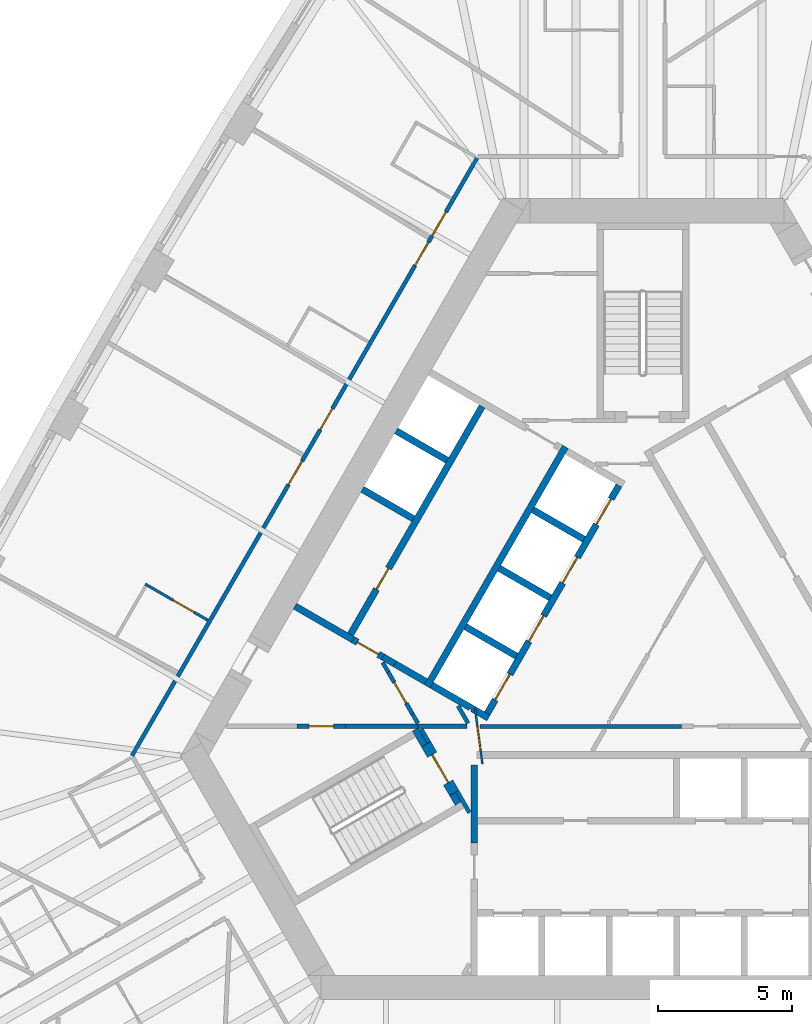
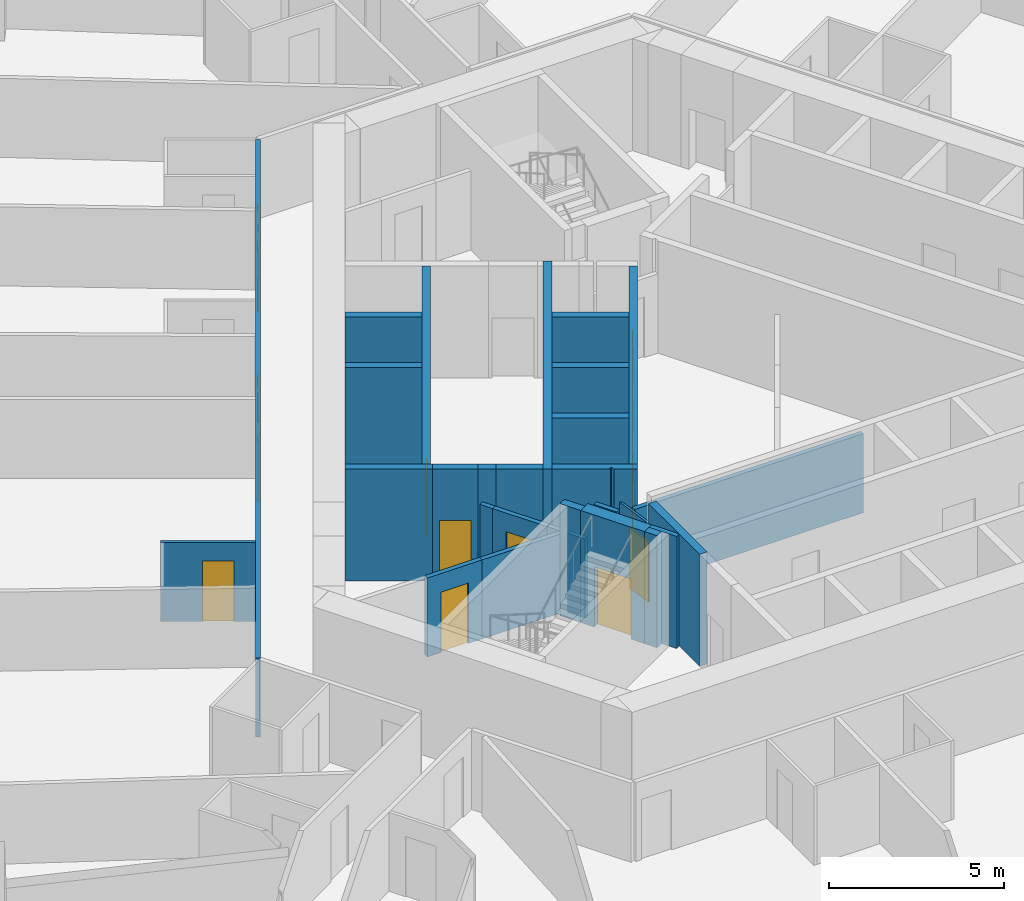
# One storey, part 5 of 13: 30 walls, 15 doors, 15 openings.
"""IFC4 building model written with IfcOpenShell, lengths in metres."""

from ifc_helpers import new_model, si_unit, direction, frame, frame_2d, origin, place, context, subcontext, project, spatial, polyline, rectangle, outline, extrude, material, layer, layer_set, type_object, element, fill, save


model = new_model("IFC4")

# Units and contexts
model_context = context("Model", 3, precision=1e-05, world=origin(), true_north=direction((0.0, 1.0)))
body_context = subcontext(model_context, "Body", "Model", "MODEL_VIEW")
ifc_project = project(units=[si_unit("LENGTHUNIT", "METRE"), si_unit("AREAUNIT", "SQUARE_METRE"), si_unit("VOLUMEUNIT", "CUBIC_METRE"), si_unit("PLANEANGLEUNIT", "RADIAN"), si_unit("MASSUNIT", "GRAM", prefix="KILO")], contexts=[model_context])

# Site, building, storey
site_placement = place(None, origin())
site = spatial("IfcSite", under=ifc_project, at=site_placement, CompositionType="ELEMENT")
building_placement = place(site_placement, origin())
building = spatial("IfcBuilding", under=site, at=building_placement, Name="Mestral Congress Tower", CompositionType="ELEMENT")
storey_placement = place(building_placement, frame((0.0, 0.0, 54.89990234375)))
storey = spatial("IfcBuildingStorey", under=building, at=storey_placement, Name="L12", CompositionType="ELEMENT", Elevation=54.89990234375)

# Walls
ifc_material_1 = material(Name="Fire-rated board partition")
ifc_layer_1 = layer(ifc_material_1, 0.14990234375)
ifc_layer_set_1 = layer_set([ifc_layer_1], Name="Fire-rated board partition")
wall_type_1 = type_object("IfcWallType", Name="Core partition 150", PredefinedType="PARTITIONING", material=ifc_layer_set_1)
wall_1_placement = place(storey_placement, frame((-8.394775390625, -2.800048828125, 0.0), z_axis=(0.0, 0.0, 1.0), x_axis=(1.0, 0.0, 0.0)))
element("IfcWall", 1, at=wall_1_placement, inside=storey, type_object=wall_type_1, Name="L12 core wall", PredefinedType="PARTITIONING", context=body_context, shape_type="SweptSolid", body=[
    extrude(rectangle(XDim=1.828125, YDim=0.14990234375, at=frame_2d((0.9140625, 0.0))), origin(), (0.0, 0.0, 1.0), 2.75),
])
wall_2_placement = place(storey_placement, frame((-11.11474609375, -2.800048828125, 0.0), z_axis=(0.0, 0.0, 1.0), x_axis=(1.0, 0.0, 0.0)))
element("IfcWall", 2, at=wall_2_placement, inside=storey, type_object=wall_type_1, Name="L12 core wall", PredefinedType="PARTITIONING", context=body_context, shape_type="SweptSolid", body=[
    extrude(rectangle(XDim=2.7080078125, YDim=0.14990234375, at=frame_2d((1.35400390625, 0.0))), origin(), (0.0, 0.0, 1.0), 2.75),
])
wall_3_placement = place(storey_placement, frame((-6.53076171875, -2.68896484375, 0.0), z_axis=(0.0, 0.0, 1.0), x_axis=(-0.499967446111, 0.866044197965, 0.0)))
element("IfcWall", 3, at=wall_3_placement, inside=storey, type_object=wall_type_1, Name="L12 core wall", PredefinedType="PARTITIONING", context=body_context, shape_type="SweptSolid", body=[
    extrude(rectangle(XDim=0.74755859375, YDim=0.14990234375, at=frame_2d((0.373779296875, 0.0))), origin(), (0.0, 0.0, 1.0), 2.75),
])
wall_4_placement = place(storey_placement, frame((-7.989990234375, -3.41162109375, 0.0), z_axis=(0.0, 0.0, 1.0), x_axis=(-0.500193841991, 0.86591346013, 0.0)))
element("IfcWall", 4, at=wall_4_placement, inside=storey, type_object=wall_type_1, Name="L12 core wall", PredefinedType="PARTITIONING", context=body_context, shape_type="SweptSolid", body=[
    extrude(rectangle(XDim=0.582763671875, YDim=0.14990234375, at=frame_2d((0.29150390625, 0.0))), origin(), (0.0, 0.0, 1.0), 2.75),
])
wall_5_placement = place(storey_placement, frame((-8.612060546875, -2.33349609375, 0.0), z_axis=(0.0, 0.0, 1.0), x_axis=(0.500248216681, -0.86588204838, 0.0)))
element("IfcWall", 5, at=wall_5_placement, inside=storey, type_object=wall_type_1, Name="L12 core wall", PredefinedType="PARTITIONING", context=body_context, shape_type="SweptSolid", body=[
    extrude(rectangle(XDim=0.415283203125, YDim=0.14990234375, at=frame_2d((0.20751953125, 0.0))), origin(), (0.0, 0.0, 1.0), 2.75),
])
wall_6_placement = place(storey_placement, frame((-6.086181640625, -2.801025390625, 0.0), z_axis=(0.0, 0.0, 1.0), x_axis=(1.0, 0.0, 0.0)))
element("IfcWall", 6, at=wall_6_placement, inside=storey, type_object=wall_type_1, Name="L12 core wall", PredefinedType="PARTITIONING", context=body_context, shape_type="SweptSolid", body=[
    extrude(rectangle(XDim=7.5244140625, YDim=0.14990234375, at=frame_2d((3.76220703125, 0.0))), origin(), (0.0, 0.0, 1.0), 2.75),
])
wall_7_placement = place(storey_placement, frame((-9.511962890625, -0.774658203125, 0.0), z_axis=(0.0, 0.0, 1.0), x_axis=(-0.500080620599, 0.865978852456, 0.0)))
element("IfcWall", 7, at=wall_7_placement, inside=storey, type_object=wall_type_1, Name="L12 core wall", PredefinedType="PARTITIONING", context=body_context, shape_type="SweptSolid", body=[
    extrude(rectangle(XDim=0.4130859375, YDim=0.14990234375, at=frame_2d((0.20654296875, 0.0))), origin(), (0.0, 0.0, 1.0), 2.75),
])

# Wall, opening, door
wall_8_placement = place(storey_placement, frame((-12.914794921875, -2.800048828125, 0.0), z_axis=(0.0, 0.0, 1.0), x_axis=(1.0, 0.0, 0.0)))
wall_8 = element("IfcWall", 8, at=wall_8_placement, inside=storey, type_object=wall_type_1, Name="L12 door wall", PredefinedType="PARTITIONING", context=body_context, shape_type="SweptSolid", body=[
    extrude(rectangle(XDim=1.7998046875, YDim=0.14990234375, at=frame_2d((0.89990234375, 0.0))), origin(), (0.0, 0.0, 1.0), 2.75),
])
opening_1_placement = place(wall_8_placement, frame((0.449951171875, 0.0, 0.0)))
opening_1 = element("IfcOpeningElement", 9, at=opening_1_placement, cuts=wall_8, Name="Opening SD-HUB1", PredefinedType="OPENING", context=body_context, shape_type="SweptSolid", body=[
    extrude(rectangle(XDim=0.89990234375, YDim=2.10009765625, at=frame_2d((0.449951171875, 1.050048828125))), frame((0.0, 0.0849609375, 0.0), z_axis=(0.0, -1.0, 0.0), x_axis=(1.0, 0.0, 0.0)), (0.0, 0.0, 1.0), 0.169921875),
])
ifc_material_2 = material(Name="Fire-rated steel door set", Category="steel")
door_type_1 = type_object("IfcDoorType", Name="Core door SR 900x2100", OperationType="SINGLE_SWING_LEFT", PredefinedType="DOOR", material=ifc_material_2)
door_1_placement = place(opening_1_placement, origin())
door_1 = element("IfcDoor", 10, at=door_1_placement, inside=storey, type_object=door_type_1, Name="Door SD-HUB1", OperationType="SINGLE_SWING_LEFT", OverallHeight=2.10009765625, OverallWidth=0.89990234375, PredefinedType="DOOR", context=body_context, shape_type="SweptSolid", body=[
    extrude(rectangle(XDim=0.89990234375, YDim=2.10009765625, at=frame_2d((0.449951171875, 1.050048828125))), frame((0.0, 0.02490234375, 0.0), z_axis=(0.0, -1.0, 0.0), x_axis=(1.0, 0.0, 0.0)), (0.0, 0.0, 1.0), 0.050048828125),
])
fill(opening_1, door_1)

wall_9_placement = place(storey_placement, frame((-8.612060546875, -2.33349609375, 0.0), z_axis=(0.0, 0.0, 1.0), x_axis=(-0.499961193289, 0.866047807691, 0.0)))
wall_9 = element("IfcWall", 11, at=wall_9_placement, inside=storey, type_object=wall_type_1, Name="L12 door wall", PredefinedType="PARTITIONING", context=body_context, shape_type="SweptSolid", body=[
    extrude(rectangle(XDim=1.800048828125, YDim=0.14990234375, at=frame_2d((0.89990234375, 0.0))), origin(), (0.0, 0.0, 1.0), 2.75),
])
opening_2_placement = place(wall_9_placement, frame((0.449951171875, 0.0, 0.0)))
opening_2 = element("IfcOpeningElement", 12, at=opening_2_placement, cuts=wall_9, Name="Opening SD-HUB5", PredefinedType="OPENING", context=body_context, shape_type="SweptSolid", body=[
    extrude(rectangle(XDim=0.89990234375, YDim=2.10009765625, at=frame_2d((0.449951171875, 1.050048828125))), frame((0.0, 0.0849609375, 0.0), z_axis=(0.0, -1.0, 0.0), x_axis=(1.0, 0.0, 0.0)), (0.0, 0.0, 1.0), 0.169921875),
])
door_2_placement = place(opening_2_placement, origin())
door_2 = element("IfcDoor", 13, at=door_2_placement, inside=storey, type_object=door_type_1, Name="Door SD-HUB5", OperationType="SINGLE_SWING_LEFT", OverallHeight=2.10009765625, OverallWidth=0.89990234375, PredefinedType="DOOR", context=body_context, shape_type="SweptSolid", body=[
    extrude(rectangle(XDim=0.89990234375, YDim=2.10009765625, at=frame_2d((0.449951171875, 1.050048828125))), frame((0.0, 0.02490234375, 0.0), z_axis=(0.0, -1.0, 0.0), x_axis=(1.0, 0.0, 0.0)), (0.0, 0.0, 1.0), 0.050048828125),
])
fill(opening_2, door_2)

ifc_layer_2 = layer(ifc_material_1, 0.075927734375)
ifc_layer_set_2 = layer_set([ifc_layer_2], Name="Fire-rated board partition")
wall_type_2 = type_object("IfcWallType", Name="Core partition 150 door-wall 76", PredefinedType="PARTITIONING", material=ifc_layer_set_2)
wall_10_placement = place(storey_placement, frame((-5.99462890625, -4.213134765625, 0.0), z_axis=(0.0, 0.0, 1.0), x_axis=(-0.132072335448, 0.991240081014, 0.0)))
wall_10 = element("IfcWall", 14, at=wall_10_placement, inside=storey, type_object=wall_type_2, Name="L12 door wall", PredefinedType="PARTITIONING", context=body_context, shape_type="SweptSolid", body=[
    extrude(rectangle(XDim=2.099853515625, YDim=0.07568359375, at=frame_2d((1.0498046875, 0.0))), origin(), (0.0, 0.0, 1.0), 2.75),
])
opening_3_placement = place(wall_10_placement, frame((0.550048828125, 0.0, 0.0)))
opening_3 = element("IfcOpeningElement", 15, at=opening_3_placement, cuts=wall_10, Name="Opening CD3-HUB4", PredefinedType="OPENING", context=body_context, shape_type="SweptSolid", body=[
    extrude(rectangle(XDim=0.89990234375, YDim=2.10009765625, at=frame_2d((0.449951171875, 1.050048828125))), frame((0.0, 0.0478515625, 0.0), z_axis=(0.0, -1.0, 0.0), x_axis=(1.0, 0.0, 0.0)), (0.0, 0.0, 1.0), 0.095703125),
])
door_type_2 = type_object("IfcDoorType", Name="Core door CD 900x2100", OperationType="SINGLE_SWING_LEFT", PredefinedType="DOOR", material=ifc_material_2)
door_3_placement = place(opening_3_placement, origin())
door_3 = element("IfcDoor", 16, at=door_3_placement, inside=storey, type_object=door_type_2, Name="Door CD3-HUB4", OperationType="SINGLE_SWING_LEFT", OverallHeight=2.10009765625, OverallWidth=0.89990234375, PredefinedType="DOOR", context=body_context, shape_type="SweptSolid", body=[
    extrude(rectangle(XDim=0.89990234375, YDim=2.10009765625, at=frame_2d((0.449951171875, 1.050048828125))), frame((0.0, 0.02490234375, 0.0), z_axis=(0.0, -1.0, 0.0), x_axis=(1.0, 0.0, 0.0)), (0.0, 0.0, 1.0), 0.050048828125),
])
fill(opening_3, door_3)

ifc_material_3 = material(Name="Gypsum board partition on metal studs with mineral wool", Category="composite")
ifc_layer_3 = layer(ifc_material_3, 0.10009765625)
ifc_layer_set_3 = layer_set([ifc_layer_3], Name="Gypsum board partition on metal studs with mineral wool")
wall_type_3 = type_object("IfcWallType", Name="Hotel partition wall 100", PredefinedType="PARTITIONING", material=ifc_layer_set_3)
wall_11_placement = place(storey_placement, frame((-16.247314453125, 1.158935546875, 0.0), z_axis=(0.0, 0.0, 1.0), x_axis=(-0.866059108428, 0.4999416173, 0.0)))
wall_11 = element("IfcWall", 17, at=wall_11_placement, inside=storey, type_object=wall_type_3, Name="L12-h-pod23a", PredefinedType="PARTITIONING", context=body_context, shape_type="SweptSolid", body=[
    extrude(rectangle(XDim=2.699951171875, YDim=0.10009765625, at=frame_2d((1.35009765625, 0.0))), origin(), (0.0, 0.0, 1.0), 2.75),
])
opening_4_placement = place(wall_11_placement, frame((0.60009765625, 0.0, 0.0)))
opening_4 = element("IfcOpeningElement", 18, at=opening_4_placement, cuts=wall_11, Name="Opening H03-044", PredefinedType="OPENING", context=body_context, shape_type="SweptSolid", body=[
    extrude(rectangle(XDim=0.89990234375, YDim=2.10009765625, at=frame_2d((0.449951171875, 1.050048828125))), frame((0.0, 0.06005859375, 0.0), z_axis=(0.0, -1.0, 0.0), x_axis=(1.0, 0.0, 0.0)), (0.0, 0.0, 1.0), 0.1201171875),
])
ifc_material_4 = material(Name="Timber veneer door leaf in timber frame", Category="wood")
door_type_3 = type_object("IfcDoorType", Name="Bathroom door 900", OperationType="SINGLE_SWING_LEFT", PredefinedType="DOOR", material=ifc_material_4)
door_4_placement = place(opening_4_placement, origin())
door_4 = element("IfcDoor", 19, at=door_4_placement, inside=storey, type_object=door_type_3, Name="L12-h-d044", OperationType="SINGLE_SWING_LEFT", OverallHeight=2.10009765625, OverallWidth=0.89990234375, PredefinedType="DOOR", context=body_context, shape_type="SweptSolid", body=[
    extrude(rectangle(XDim=0.89990234375, YDim=2.10009765625, at=frame_2d((0.449951171875, 1.050048828125))), frame((0.0, 0.02490234375, 0.0), z_axis=(0.0, -1.0, 0.0), x_axis=(1.0, 0.0, 0.0)), (0.0, 0.0, 1.0), 0.050048828125),
])
fill(opening_4, door_4)

# Wall, openings, doors
ifc_layer_4 = layer(ifc_material_3, 0.14990234375)
ifc_layer_set_4 = layer_set([ifc_layer_4], Name="Gypsum board partition on metal studs with mineral wool")
wall_type_4 = type_object("IfcWallType", Name="Hotel partition wall 150", PredefinedType="PARTITIONING", material=ifc_layer_set_4)
wall_12_placement = place(storey_placement, frame((-19.081298828125, -3.89990234375, 0.0), z_axis=(0.0, 0.0, 1.0), x_axis=(0.499998313975, 0.866026377209, 0.0)))
wall_12 = element("IfcWall", 20, at=wall_12_placement, inside=storey, type_object=wall_type_4, Name="L12-h-cw08", PredefinedType="PARTITIONING", context=body_context, shape_type="SweptSolid", body=[
    extrude(rectangle(XDim=25.76611328125, YDim=0.14990234375, at=frame_2d((12.883056640625, 0.0))), origin(), (0.0, 0.0, 1.0), 2.75),
])
opening_5_placement = place(wall_12_placement, frame((22.4453125, 0.0, 0.0)))
opening_5 = element("IfcOpeningElement", 21, at=opening_5_placement, cuts=wall_12, Name="Opening H03-038", PredefinedType="OPENING", context=body_context, shape_type="SweptSolid", body=[
    extrude(rectangle(XDim=1.0, YDim=2.10009765625, at=frame_2d((0.5, 1.050048828125))), frame((0.0, 0.0849609375, 0.0), z_axis=(0.0, -1.0, 0.0), x_axis=(1.0, 0.0, 0.0)), (0.0, 0.0, 1.0), 0.169921875),
])
opening_6_placement = place(wall_12_placement, frame((21.13818359375, 0.0, 0.0)))
opening_6 = element("IfcOpeningElement", 22, at=opening_6_placement, cuts=wall_12, Name="Opening H03-040", PredefinedType="OPENING", context=body_context, shape_type="SweptSolid", body=[
    extrude(rectangle(XDim=1.0, YDim=2.10009765625, at=frame_2d((0.5, 1.050048828125))), frame((0.0, 0.0849609375, 0.0), z_axis=(0.0, -1.0, 0.0), x_axis=(1.0, 0.0, 0.0)), (0.0, 0.0, 1.0), 0.169921875),
])
opening_7_placement = place(wall_12_placement, frame((14.06640625, 0.0, 0.0)))
opening_7 = element("IfcOpeningElement", 23, at=opening_7_placement, cuts=wall_12, Name="Opening H03-042", PredefinedType="OPENING", context=body_context, shape_type="SweptSolid", body=[
    extrude(rectangle(XDim=0.89990234375, YDim=2.10009765625, at=frame_2d((0.449951171875, 1.050048828125))), frame((0.0, 0.0849609375, 0.0), z_axis=(0.0, -1.0, 0.0), x_axis=(1.0, 0.0, 0.0)), (0.0, 0.0, 1.0), 0.169921875),
])
opening_8_placement = place(wall_12_placement, frame((11.692626953125, 0.0, 0.0)))
opening_8 = element("IfcOpeningElement", 24, at=opening_8_placement, cuts=wall_12, Name="Opening H03-043", PredefinedType="OPENING", context=body_context, shape_type="SweptSolid", body=[
    extrude(rectangle(XDim=1.0, YDim=2.10009765625, at=frame_2d((0.5, 1.050048828125))), frame((0.0, 0.0849609375, 0.0), z_axis=(0.0, -1.0, 0.0), x_axis=(1.0, 0.0, 0.0)), (0.0, 0.0, 1.0), 0.169921875),
])
ifc_material_5 = material(Name="Timber veneer door leaf in metal frame", Category="wood")
door_type_4 = type_object("IfcDoorType", Name="Guest room entrance door 1000", OperationType="SINGLE_SWING_LEFT", PredefinedType="DOOR", material=ifc_material_5)
door_5_placement = place(opening_5_placement, origin())
door_5 = element("IfcDoor", 25, at=door_5_placement, inside=storey, type_object=door_type_4, Name="L12-h-d038", OperationType="SINGLE_SWING_LEFT", OverallHeight=2.10009765625, OverallWidth=1.0, PredefinedType="DOOR", context=body_context, shape_type="SweptSolid", body=[
    extrude(rectangle(XDim=1.0, YDim=2.10009765625, at=frame_2d((0.5, 1.050048828125))), frame((0.0, 0.02490234375, 0.0), z_axis=(0.0, -1.0, 0.0), x_axis=(1.0, 0.0, 0.0)), (0.0, 0.0, 1.0), 0.050048828125),
])
fill(opening_5, door_5)
door_6_placement = place(opening_6_placement, origin())
door_6 = element("IfcDoor", 26, at=door_6_placement, inside=storey, type_object=door_type_4, Name="L12-h-d040", OperationType="SINGLE_SWING_RIGHT", OverallHeight=2.10009765625, OverallWidth=1.0, PredefinedType="DOOR", context=body_context, shape_type="SweptSolid", body=[
    extrude(rectangle(XDim=1.0, YDim=2.10009765625, at=frame_2d((0.5, 1.050048828125))), frame((0.0, 0.02490234375, 0.0), z_axis=(0.0, -1.0, 0.0), x_axis=(1.0, 0.0, 0.0)), (0.0, 0.0, 1.0), 0.050048828125),
])
fill(opening_6, door_6)
door_7_placement = place(opening_8_placement, origin())
door_7 = element("IfcDoor", 27, at=door_7_placement, inside=storey, type_object=door_type_4, Name="L12-h-d043", OperationType="SINGLE_SWING_RIGHT", OverallHeight=2.10009765625, OverallWidth=1.0, PredefinedType="DOOR", context=body_context, shape_type="SweptSolid", body=[
    extrude(rectangle(XDim=1.0, YDim=2.10009765625, at=frame_2d((0.5, 1.050048828125))), frame((0.0, 0.02490234375, 0.0), z_axis=(0.0, -1.0, 0.0), x_axis=(1.0, 0.0, 0.0)), (0.0, 0.0, 1.0), 0.050048828125),
])
fill(opening_8, door_7)
door_type_5 = type_object("IfcDoorType", Name="Service room door 900", OperationType="SINGLE_SWING_LEFT", PredefinedType="DOOR", material=ifc_material_5)
door_8_placement = place(opening_7_placement, origin())
door_8 = element("IfcDoor", 28, at=door_8_placement, inside=storey, type_object=door_type_5, Name="L12-h-d042", OperationType="SINGLE_SWING_RIGHT", OverallHeight=2.10009765625, OverallWidth=0.89990234375, PredefinedType="DOOR", context=body_context, shape_type="SweptSolid", body=[
    extrude(rectangle(XDim=0.89990234375, YDim=2.10009765625, at=frame_2d((0.449951171875, 1.050048828125))), frame((0.0, 0.02490234375, 0.0), z_axis=(0.0, -1.0, 0.0), x_axis=(1.0, 0.0, 0.0)), (0.0, 0.0, 1.0), 0.050048828125),
])
fill(opening_7, door_8)

# Walls
ifc_material_6 = material(Name="Concrete C60/75", Category="concrete")
ifc_layer_5 = layer(ifc_material_6, 0.25)
ifc_layer_set_5 = layer_set([ifc_layer_5], Name="Concrete C60/75")
wall_type_5 = type_object("IfcWallType", Name="Shaft wall RC 250", PredefinedType="SOLIDWALL", material=ifc_layer_set_5)
wall_13_placement = place(storey_placement, frame((-6.300048828125, -4.239990234375, 0.0), z_axis=(0.0, 0.0, 1.0), x_axis=(0.0, -1.0, 0.0)))
element("IfcWall", 29, at=wall_13_placement, inside=storey, type_object=wall_type_5, Name="L12 core wall", PredefinedType="SOLIDWALL", context=body_context, shape_type="SweptSolid", body=[
    extrude(rectangle(XDim=2.914306640625, YDim=0.25, at=frame_2d((1.45703125, 0.0))), origin(), (0.0, 0.0, 1.0), 3.900146484375),
])
wall_14_placement = place(storey_placement, frame((-8.06005859375, -1.310546875, 0.0), z_axis=(0.0, 0.0, 1.0), x_axis=(0.50000273126, 0.866023826885, 0.0)))
element("IfcWall", 30, at=wall_14_placement, inside=storey, type_object=wall_type_5, Name="L12 core wall", PredefinedType="SOLIDWALL", context=body_context, shape_type="SweptSolid", body=[
    extrude(rectangle(XDim=10.330078125, YDim=0.25, at=frame_2d((5.1650390625, 0.0))), origin(), (0.0, 0.0, 1.0), 3.900146484375),
])
for number, where, z_axis, x_axis, name in (
    (31, (-2.2041015625, 4.182373046875, 0.0), (0.0, 0.0, 1.0), (-0.866008176907, 0.50002983664, 0.0), "L12 core wall"),
    (32, (-5.369384765625, 3.10009765625, 0.0), (0.0, 0.0, 1.0), (0.866008176907, -0.50002983664, 0.0), "L12 core wall"),
    (33, (-4.72412109375, -0.182373046875, 0.0), (0.0, 0.0, 1.0), (-0.866008176907, 0.50002983664, 0.0), "L12 core wall"),
):
    element("IfcWall", number, at=place(storey_placement, frame(where, z_axis=z_axis, x_axis=x_axis)), inside=storey, type_object=wall_type_5, Name=name, PredefinedType="SOLIDWALL", context=body_context, shape_type="SweptSolid", body=[
        extrude(rectangle(XDim=2.199951171875, YDim=0.25, at=frame_2d((1.10009765625, 0.0))), origin(), (0.0, 0.0, 1.0), 3.900146484375),
    ])
wall_15_placement = place(storey_placement, origin())
element("IfcWall", 34, at=wall_15_placement, inside=storey, type_object=wall_type_5, Name="L12 core wall", PredefinedType="SOLIDWALL", context=body_context, shape_type="SweptSolid", body=[
    extrude(outline(polyline([(-5.921630859375, -2.256591796875), (-5.921630859375, -2.256591796875), (-5.705078125, -2.381591796875), (-5.830078125, -2.597900390625), (-6.41845703125, -2.25830078125), (-6.4326171875, -2.153076171875), (-6.4326171875, -2.15283203125), (-6.4326171875, -2.15283203125), (-6.5078125, -2.162841796875), (-6.5078125, -2.162841796875), (-6.5078125, -2.1630859375), (-6.50146484375, -2.21044921875), (-7.951904296875, -1.373046875), (-7.826904296875, -1.156494140625), (-5.921630859375, -2.256591796875)])), origin(), (0.0, 0.0, 1.0), 3.900146484375),
])
wall_16_placement = place(storey_placement, frame((-9.7080078125, -0.21484375, 0.0), z_axis=(0.0, 0.0, 1.0), x_axis=(0.866113839764, -0.499846793097, 0.0)))
element("IfcWall", 35, at=wall_16_placement, inside=storey, type_object=wall_type_5, Name="L12 core wall", PredefinedType="SOLIDWALL", context=body_context, shape_type="SweptSolid", body=[
    extrude(rectangle(XDim=0.510009765625, YDim=0.25, at=frame_2d((0.2548828125, 0.0))), origin(), (0.0, 0.0, 1.0), 3.900146484375),
])
wall_17_placement = place(storey_placement, frame((-12.998779296875, 1.685302734375, 0.0), z_axis=(0.0, 0.0, 1.0), x_axis=(0.865996765544, -0.500049599607, 0.0)))
element("IfcWall", 36, at=wall_17_placement, inside=storey, type_object=wall_type_5, Name="L12 core wall", PredefinedType="SOLIDWALL", context=body_context, shape_type="SweptSolid", body=[
    extrude(rectangle(XDim=2.497802734375, YDim=0.25, at=frame_2d((1.2490234375, 0.0))), origin(), (0.0, 0.0, 1.0), 3.900146484375),
])
wall_18_placement = place(storey_placement, frame((-9.2646484375, -0.470703125, 0.0), z_axis=(0.0, 0.0, 1.0), x_axis=(0.865954634268, -0.500122556369, 0.0)))
element("IfcWall", 37, at=wall_18_placement, inside=storey, type_object=wall_type_5, Name="L12 core wall", PredefinedType="SOLIDWALL", context=body_context, shape_type="SweptSolid", body=[
    extrude(rectangle(XDim=1.338134765625, YDim=0.25, at=frame_2d((0.6689453125, 0.0))), origin(), (0.0, 0.0, 1.0), 3.900146484375),
])
for number, where, z_axis, x_axis, name in (
    (38, (-8.57373046875, 4.949951171875, 0.0), (0.0, 0.0, 1.0), (-0.866008176907, 0.50002983664, 0.0), "L12 core wall"),
    (39, (-7.313720703125, 7.13232421875, 0.0), (0.0, 0.0, 1.0), (-0.866008176907, 0.50002983664, 0.0), "L12 core wall"),
):
    element("IfcWall", number, at=place(storey_placement, frame(where, z_axis=z_axis, x_axis=x_axis)), inside=storey, type_object=wall_type_5, Name=name, PredefinedType="SOLIDWALL", context=body_context, shape_type="SweptSolid", body=[
        extrude(rectangle(XDim=2.199951171875, YDim=0.25, at=frame_2d((1.10009765625, 0.0))), origin(), (0.0, 0.0, 1.0), 3.900146484375),
    ])

# Wall, opening, door
wall_19_placement = place(storey_placement, frame((-6.0078125, 9.14404296875, 0.0), z_axis=(0.0, 0.0, 1.0), x_axis=(-0.500006956611, -0.866021387346, 0.0)))
wall_19 = element("IfcWall", 40, at=wall_19_placement, inside=storey, type_object=wall_type_5, Name="L12 door wall", PredefinedType="SOLIDWALL", context=body_context, shape_type="SweptSolid", body=[
    extrude(rectangle(XDim=9.829833984375, YDim=0.25, at=frame_2d((4.9150390625, 0.0))), origin(), (0.0, 0.0, 1.0), 3.900146484375),
])
opening_9_placement = place(wall_19_placement, frame((6.985107421875, 0.0, 0.0)))
opening_9 = element("IfcOpeningElement", 41, at=opening_9_placement, cuts=wall_19, Name="Opening SR-NWA2", PredefinedType="OPENING", context=body_context, shape_type="SweptSolid", body=[
    extrude(rectangle(XDim=0.89990234375, YDim=2.10009765625, at=frame_2d((0.449951171875, 1.050048828125))), frame((0.0, 0.135009765625, 0.0), z_axis=(0.0, -1.0, 0.0), x_axis=(1.0, 0.0, 0.0)), (0.0, 0.0, 1.0), 0.27001953125),
])
door_9_placement = place(opening_9_placement, origin())
door_9 = element("IfcDoor", 42, at=door_9_placement, inside=storey, type_object=door_type_1, Name="Door SR-NWA2", OperationType="SINGLE_SWING_LEFT", OverallHeight=2.10009765625, OverallWidth=0.89990234375, PredefinedType="DOOR", context=body_context, shape_type="SweptSolid", body=[
    extrude(rectangle(XDim=0.89990234375, YDim=2.10009765625, at=frame_2d((0.449951171875, 1.050048828125))), frame((0.0, 0.02490234375, 0.0), z_axis=(0.0, -1.0, 0.0), x_axis=(1.0, 0.0, 0.0)), (0.0, 0.0, 1.0), 0.050048828125),
])
fill(opening_9, door_9)

# Wall, openings, doors
wall_20_placement = place(storey_placement, frame((-0.898193359375, 6.194091796875, 0.0), z_axis=(0.0, 0.0, 1.0), x_axis=(-0.499996202215, -0.866027596426, 0.0)))
wall_20 = element("IfcWall", 43, at=wall_20_placement, inside=storey, type_object=wall_type_5, Name="L12 door wall", PredefinedType="SOLIDWALL", context=body_context, shape_type="SweptSolid", body=[
    extrude(rectangle(XDim=9.830078125, YDim=0.25, at=frame_2d((4.9150390625, 0.0))), origin(), (0.0, 0.0, 1.0), 3.900146484375),
])
opening_10_placement = place(wall_20_placement, frame((0.5849609375, 0.0, 0.0)))
opening_10 = element("IfcOpeningElement", 44, at=opening_10_placement, cuts=wall_20, Name="Opening LD-NWB1", PredefinedType="OPENING", context=body_context, shape_type="SweptSolid", body=[
    extrude(rectangle(XDim=1.10009765625, YDim=2.10009765625, at=frame_2d((0.550048828125, 1.050048828125))), frame((0.0, 0.135009765625, 0.0), z_axis=(0.0, -1.0, 0.0), x_axis=(1.0, 0.0, 0.0)), (0.0, 0.0, 1.0), 0.27001953125),
])
opening_11_placement = place(wall_20_placement, frame((3.10498046875, 0.0, 0.0)))
opening_11 = element("IfcOpeningElement", 45, at=opening_11_placement, cuts=wall_20, Name="Opening LD-NWB2", PredefinedType="OPENING", context=body_context, shape_type="SweptSolid", body=[
    extrude(rectangle(XDim=1.10009765625, YDim=2.10009765625, at=frame_2d((0.550048828125, 1.050048828125))), frame((0.0, 0.135009765625, 0.0), z_axis=(0.0, -1.0, 0.0), x_axis=(1.0, 0.0, 0.0)), (0.0, 0.0, 1.0), 0.27001953125),
])
opening_12_placement = place(wall_20_placement, frame((5.625, 0.0, 0.0)))
opening_12 = element("IfcOpeningElement", 46, at=opening_12_placement, cuts=wall_20, Name="Opening LD-NWB3", PredefinedType="OPENING", context=body_context, shape_type="SweptSolid", body=[
    extrude(rectangle(XDim=1.10009765625, YDim=2.10009765625, at=frame_2d((0.550048828125, 1.050048828125))), frame((0.0, 0.135009765625, 0.0), z_axis=(0.0, -1.0, 0.0), x_axis=(1.0, 0.0, 0.0)), (0.0, 0.0, 1.0), 0.27001953125),
])
opening_13_placement = place(wall_20_placement, frame((8.14501953125, 0.0, 0.0)))
opening_13 = element("IfcOpeningElement", 47, at=opening_13_placement, cuts=wall_20, Name="Opening LD-NWB4", PredefinedType="OPENING", context=body_context, shape_type="SweptSolid", body=[
    extrude(rectangle(XDim=1.10009765625, YDim=2.10009765625, at=frame_2d((0.550048828125, 1.050048828125))), frame((0.0, 0.135009765625, 0.0), z_axis=(0.0, -1.0, 0.0), x_axis=(1.0, 0.0, 0.0)), (0.0, 0.0, 1.0), 0.27001953125),
])
door_type_6 = type_object("IfcDoorType", Name="Core door LD 1100x2100", OperationType="DOUBLE_DOOR_SLIDING", PredefinedType="DOOR", material=ifc_material_2)
door_10_placement = place(opening_10_placement, origin())
door_10 = element("IfcDoor", 48, at=door_10_placement, inside=storey, type_object=door_type_6, Name="Door LD-NWB1", OperationType="DOUBLE_DOOR_SLIDING", OverallHeight=2.10009765625, OverallWidth=1.10009765625, PredefinedType="DOOR", context=body_context, shape_type="SweptSolid", body=[
    extrude(rectangle(XDim=1.10009765625, YDim=2.10009765625, at=frame_2d((0.550048828125, 1.050048828125))), frame((0.0, 0.02490234375, 0.0), z_axis=(0.0, -1.0, 0.0), x_axis=(1.0, 0.0, 0.0)), (0.0, 0.0, 1.0), 0.050048828125),
])
fill(opening_10, door_10)
door_11_placement = place(opening_11_placement, origin())
door_11 = element("IfcDoor", 49, at=door_11_placement, inside=storey, type_object=door_type_6, Name="Door LD-NWB2", OperationType="DOUBLE_DOOR_SLIDING", OverallHeight=2.10009765625, OverallWidth=1.10009765625, PredefinedType="DOOR", context=body_context, shape_type="SweptSolid", body=[
    extrude(rectangle(XDim=1.10009765625, YDim=2.10009765625, at=frame_2d((0.550048828125, 1.050048828125))), frame((0.0, 0.02490234375, 0.0), z_axis=(0.0, -1.0, 0.0), x_axis=(1.0, 0.0, 0.0)), (0.0, 0.0, 1.0), 0.050048828125),
])
fill(opening_11, door_11)
door_12_placement = place(opening_12_placement, origin())
door_12 = element("IfcDoor", 50, at=door_12_placement, inside=storey, type_object=door_type_6, Name="Door LD-NWB3", OperationType="DOUBLE_DOOR_SLIDING", OverallHeight=2.10009765625, OverallWidth=1.10009765625, PredefinedType="DOOR", context=body_context, shape_type="SweptSolid", body=[
    extrude(rectangle(XDim=1.10009765625, YDim=2.10009765625, at=frame_2d((0.550048828125, 1.050048828125))), frame((0.0, 0.02490234375, 0.0), z_axis=(0.0, -1.0, 0.0), x_axis=(1.0, 0.0, 0.0)), (0.0, 0.0, 1.0), 0.050048828125),
])
fill(opening_12, door_12)
door_13_placement = place(opening_13_placement, origin())
door_13 = element("IfcDoor", 51, at=door_13_placement, inside=storey, type_object=door_type_6, Name="Door LD-NWB4", OperationType="DOUBLE_DOOR_SLIDING", OverallHeight=2.10009765625, OverallWidth=1.10009765625, PredefinedType="DOOR", context=body_context, shape_type="SweptSolid", body=[
    extrude(rectangle(XDim=1.10009765625, YDim=2.10009765625, at=frame_2d((0.550048828125, 1.050048828125))), frame((0.0, 0.02490234375, 0.0), z_axis=(0.0, -1.0, 0.0), x_axis=(1.0, 0.0, 0.0)), (0.0, 0.0, 1.0), 0.050048828125),
])
fill(opening_13, door_13)

# Wall, opening, door
wall_21_placement = place(storey_placement, frame((-9.7080078125, -0.215087890625, 0.0), z_axis=(0.0, 0.0, 1.0), x_axis=(-0.866004217611, 0.500036693733, 0.0)))
wall_21 = element("IfcWall", 52, at=wall_21_placement, inside=storey, type_object=wall_type_5, Name="L12 door wall", PredefinedType="SOLIDWALL", context=body_context, shape_type="SweptSolid", body=[
    extrude(rectangle(XDim=1.30029296875, YDim=0.25, at=frame_2d((0.650146484375, 0.0))), origin(), (0.0, 0.0, 1.0), 3.900146484375),
])
opening_14_placement = place(wall_21_placement, frame((0.199951171875, 0.0, 0.0)))
opening_14 = element("IfcOpeningElement", 53, at=opening_14_placement, cuts=wall_21, Name="Opening PD3", PredefinedType="OPENING", context=body_context, shape_type="SweptSolid", body=[
    extrude(rectangle(XDim=0.89990234375, YDim=2.10009765625, at=frame_2d((0.449951171875, 1.050048828125))), frame((0.0, 0.135009765625, 0.0), z_axis=(0.0, -1.0, 0.0), x_axis=(1.0, 0.0, 0.0)), (0.0, 0.0, 1.0), 0.27001953125),
])
door_type_7 = type_object("IfcDoorType", Name="Core door PD 900x2100", OperationType="SINGLE_SWING_LEFT", PredefinedType="DOOR", material=ifc_material_2)
door_14_placement = place(opening_14_placement, origin())
door_14 = element("IfcDoor", 54, at=door_14_placement, inside=storey, type_object=door_type_7, Name="Door PD3", OperationType="SINGLE_SWING_LEFT", OverallHeight=2.10009765625, OverallWidth=0.89990234375, PredefinedType="DOOR", context=body_context, shape_type="SweptSolid", body=[
    extrude(rectangle(XDim=0.89990234375, YDim=2.10009765625, at=frame_2d((0.449951171875, 1.050048828125))), frame((0.0, 0.02490234375, 0.0), z_axis=(0.0, -1.0, 0.0), x_axis=(1.0, 0.0, 0.0)), (0.0, 0.0, 1.0), 0.050048828125),
])
fill(opening_14, door_14)

# Walls
ifc_layer_6 = layer(ifc_material_6, 0.14990234375)
ifc_layer_set_6 = layer_set([ifc_layer_6], Name="Concrete C60/75")
wall_type_6 = type_object("IfcWallType", Name="Shaft wall RC 250 door-wall 150", PredefinedType="SOLIDWALL", material=ifc_layer_set_6)
wall_22_placement = place(storey_placement, frame((-6.48046875, -6.026611328125, 0.0), z_axis=(0.0, 0.0, 1.0), x_axis=(-0.499936960004, 0.866061796884, 0.0)))
element("IfcWall", 55, at=wall_22_placement, inside=storey, type_object=wall_type_6, Name="L12 core wall", PredefinedType="PARTITIONING", context=body_context, shape_type="SweptSolid", body=[
    extrude(rectangle(XDim=0.91943359375, YDim=0.14990234375, at=frame_2d((0.459716796875, 0.0))), origin(), (0.0, 0.0, 1.0), 3.900146484375),
])
ifc_layer_7 = layer(ifc_material_6, 0.25)
ifc_layer_set_7 = layer_set([ifc_layer_7], Name="Concrete C60/75")
wall_type_7 = type_object("IfcWallType", Name="Stair wall RC 250", PredefinedType="SOLIDWALL", material=ifc_layer_set_7)
wall_23_placement = place(storey_placement, frame((-8.162841796875, -3.51123046875, 0.0), z_axis=(0.0, 0.0, 1.0), x_axis=(-0.500206266495, 0.865906283012, 0.0)))
element("IfcWall", 56, at=wall_23_placement, inside=storey, type_object=wall_type_7, Name="L12 core wall", PredefinedType="SOLIDWALL", context=body_context, shape_type="SweptSolid", body=[
    extrude(rectangle(XDim=0.684326171875, YDim=0.25, at=frame_2d((0.34228515625, 0.0))), origin(), (0.0, 0.0, 1.0), 3.900146484375),
])
wall_24_placement = place(storey_placement, frame((-6.905029296875, -5.68994140625, 0.0), z_axis=(0.0, 0.0, 1.0), x_axis=(-0.499993700073, 0.866029041019, 0.0)))
element("IfcWall", 57, at=wall_24_placement, inside=storey, type_object=wall_type_7, Name="L12 core wall", PredefinedType="SOLIDWALL", context=body_context, shape_type="SweptSolid", body=[
    extrude(rectangle(XDim=0.41552734375, YDim=0.25, at=frame_2d((0.207763671875, 0.0))), origin(), (0.0, 0.0, 1.0), 3.900146484375),
])

# Wall, opening, door
ifc_layer_8 = layer(ifc_material_6, 0.39990234375)
ifc_layer_set_8 = layer_set([ifc_layer_8], Name="Concrete C60/75")
wall_type_8 = type_object("IfcWallType", Name="Stair wall RC 250 door-wall 400", PredefinedType="SOLIDWALL", material=ifc_layer_set_8)
wall_25_placement = place(storey_placement, frame((-8.097900390625, -3.473876953125, 0.0), z_axis=(0.0, 0.0, 1.0), x_axis=(0.49994051562, -0.866059744384, 0.0)))
wall_25 = element("IfcWall", 58, at=wall_25_placement, inside=storey, type_object=wall_type_8, Name="L12 door wall", PredefinedType="SOLIDWALL", context=body_context, shape_type="SweptSolid", body=[
    extrude(rectangle(XDim=2.099853515625, YDim=0.39990234375, at=frame_2d((1.0498046875, 0.0))), origin(), (0.0, 0.0, 1.0), 3.900146484375),
])
opening_15_placement = place(wall_25_placement, frame((0.449951171875, 0.0, 0.0)))
opening_15 = element("IfcOpeningElement", 59, at=opening_15_placement, cuts=wall_25, Name="Opening ST-D3", PredefinedType="OPENING", context=body_context, shape_type="SweptSolid", body=[
    extrude(rectangle(XDim=1.199951171875, YDim=2.10009765625, at=frame_2d((0.60009765625, 1.050048828125))), frame((0.0, 0.2099609375, 0.0), z_axis=(0.0, -1.0, 0.0), x_axis=(1.0, 0.0, 0.0)), (0.0, 0.0, 1.0), 0.419921875),
])
door_type_8 = type_object("IfcDoorType", Name="Core door ST 1200x2100", OperationType="SINGLE_SWING_LEFT", PredefinedType="DOOR", material=ifc_material_2)
door_15_placement = place(opening_15_placement, origin())
door_15 = element("IfcDoor", 60, at=door_15_placement, inside=storey, type_object=door_type_8, Name="Door ST-D3", OperationType="SINGLE_SWING_LEFT", OverallHeight=2.10009765625, OverallWidth=1.199951171875, PredefinedType="DOOR", context=body_context, shape_type="SweptSolid", body=[
    extrude(rectangle(XDim=1.199951171875, YDim=2.10009765625, at=frame_2d((0.60009765625, 1.050048828125))), frame((0.0, 0.02490234375, 0.0), z_axis=(0.0, -1.0, 0.0), x_axis=(1.0, 0.0, 0.0)), (0.0, 0.0, 1.0), 0.050048828125),
])
fill(opening_15, door_15)

save(model, "model.ifc")
